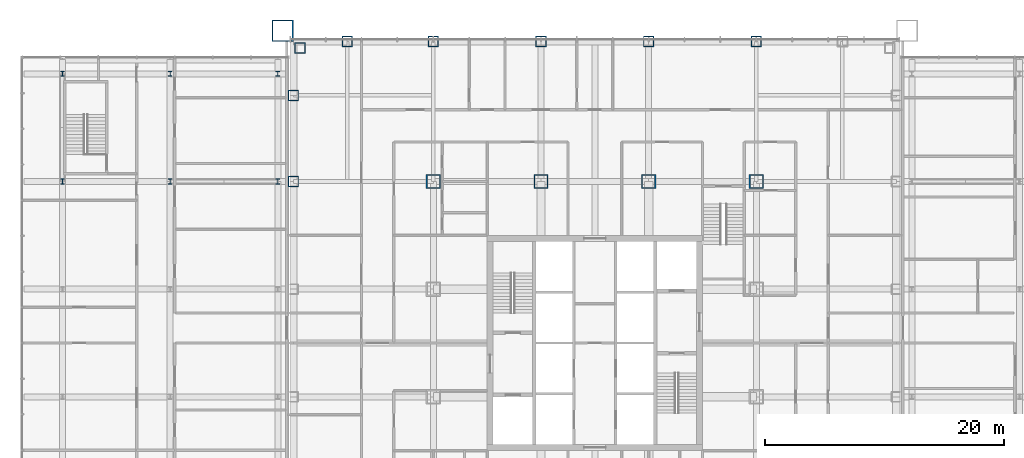
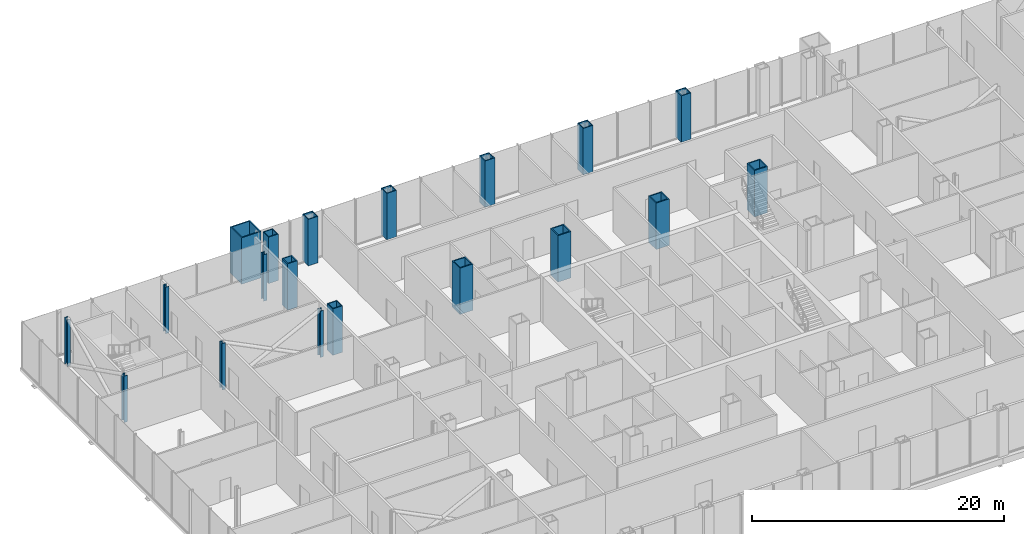
# One storey, part 3 of 25: 19 columns.
"""IFC4 building model written with IfcOpenShell, lengths in metres."""

import ifcopenshell
import ifcopenshell.guid

model = None  # the IFC model being written
_history = None  # IfcOwnerHistory: only IFC2X3 demands one
_inside = {}  # id of a spatial element -> (the spatial element, [elements in it])
_under = {}  # id of a project, library or spatial element -> (it, [spatial elements below it])
_declared = {}  # id of a project -> (the project, [libraries it declares])
_typed = {}  # id of a type object -> (the type object, [elements of that type])
_made_of = {}  # id of a material, layer set ... -> (it, [elements and type objects made of it])


def new_model(schema):
    """Start an empty IFC model of exactly this schema.

    Asked for "IFC4X3", IfcOpenShell would pick the latest addendum, in which some entities
    have other attributes; the version numbers below select the first issue.
    IFC2X3 requires an IfcOwnerHistory on every rooted entity: one is made here for all.
    """
    global model, _history
    if schema == "IFC4X3":
        model = ifcopenshell.file(schema_version=(4, 3, 0, 0))
    else:
        model = ifcopenshell.file(schema=schema)
    _inside.clear()
    _under.clear()
    _declared.clear()
    _typed.clear()
    _made_of.clear()
    _history = None
    if model.schema == "IFC2X3":
        org = make("IfcOrganization", Name="unknown")
        user = make(
            "IfcPersonAndOrganization",
            ThePerson=make("IfcPerson", FamilyName="unknown"),
            TheOrganization=org,
        )
        app = make(
            "IfcApplication",
            ApplicationDeveloper=org,
            Version="unknown",
            ApplicationFullName="unknown",
            ApplicationIdentifier="unknown",
        )
        _history = make(
            "IfcOwnerHistory",
            OwningUser=user,
            OwningApplication=app,
            ChangeAction="ADDED",
            CreationDate=0,
        )
    return model


def make(cls, **values):
    """One entity of the class cls with the attributes given. An attribute that is None is left unset."""
    return model.create_entity(
        cls, **{name: value for name, value in values.items() if value is not None}
    )


def rooted(cls, **values):
    """An entity with a GlobalId (a new one), such as an element, a storey or a relation."""
    return make(cls, GlobalId=ifcopenshell.guid.new(), OwnerHistory=_history, **values)


def si_unit(unit_type, name, prefix=None):
    """IfcSIUnit, for example si_unit("LENGTHUNIT", "METRE", prefix="MILLI")."""
    return make("IfcSIUnit", UnitType=unit_type, Prefix=prefix, Name=name)


def assignment(units):
    """IfcUnitAssignment: the units of a project."""
    return None if units is None else make("IfcUnitAssignment", Units=units)


def point(xyz):
    """IfcCartesianPoint."""
    return None if xyz is None else make("IfcCartesianPoint", Coordinates=xyz)


def direction(xyz):
    """IfcDirection."""
    return None if xyz is None else make("IfcDirection", DirectionRatios=xyz)


def frame(location, z_axis=None, x_axis=None):
    """IfcAxis2Placement3D, a coordinate frame: its origin and axes. An axis left out is left unset."""
    return make(
        "IfcAxis2Placement3D",
        Location=point(location),
        Axis=direction(z_axis),
        RefDirection=direction(x_axis),
    )


def frame_2d(location, x_axis=None):
    """IfcAxis2Placement2D, a coordinate frame in the plane: its origin and x axis."""
    return make(
        "IfcAxis2Placement2D", Location=point(location), RefDirection=direction(x_axis)
    )


def origin():
    """The frame at (0, 0, 0) with its axes left unset."""
    return frame((0.0, 0.0, 0.0))


def origin_2d():
    """The frame at (0, 0) in the plane with its x axis left unset."""
    return frame_2d((0.0, 0.0))


def place(relative_to, where):
    """IfcLocalPlacement: puts the frame where relative to a parent placement (None: the world)."""
    return make(
        "IfcLocalPlacement", PlacementRelTo=relative_to, RelativePlacement=where
    )


def context(
    kind, dimensions, precision=None, world=None, true_north=None, identifier=None
):
    """IfcGeometricRepresentationContext, for example the 3D "Model" context."""
    return make(
        "IfcGeometricRepresentationContext",
        ContextIdentifier=identifier,
        ContextType=kind,
        CoordinateSpaceDimension=dimensions,
        Precision=precision,
        WorldCoordinateSystem=world,
        TrueNorth=true_north,
    )


def subcontext(parent, identifier, kind, view, scale=None):
    """IfcGeometricRepresentationSubContext, for example "Body" below "Model"."""
    return make(
        "IfcGeometricRepresentationSubContext",
        ContextIdentifier=identifier,
        ContextType=kind,
        ParentContext=parent,
        TargetScale=scale,
        TargetView=view,
    )


def project(units=None, contexts=None):
    """IfcProject with its units and contexts."""
    return rooted(
        "IfcProject",
        Name="project",
        RepresentationContexts=contexts,
        UnitsInContext=assignment(units),
    )


def spatial(cls, under=None, at=None, **own):
    """A site, building, storey or space (cls), placed at a placement, below another one or the project."""
    s = rooted(cls, ObjectPlacement=at, **own)
    if under is not None:
        _under.setdefault(under.id(), (under, []))[1].append(s)
    return s


def profile(cls, at=None, kind="AREA", **sizes):
    """A parametric profile (cls). Its sizes go by their IFC names, for example OverallWidth=200.0."""
    return make(cls, ProfileType=kind, Position=at, **sizes)


def hollow_rectangle(**sizes):
    """IfcRectangleHollowProfileDef."""
    return profile("IfcRectangleHollowProfileDef", **sizes)


def i_section(**sizes):
    """IfcIShapeProfileDef."""
    return profile("IfcIShapeProfileDef", **sizes)


def extrude(swept, where, along, depth):
    """IfcExtrudedAreaSolid: the profile swept, set in the frame where, extruded along a direction by depth."""
    return make(
        "IfcExtrudedAreaSolid",
        SweptArea=swept,
        Position=where,
        ExtrudedDirection=direction(along),
        Depth=depth,
    )


def shape(context_of_items, identifier, shape_type, items):
    """IfcShapeRepresentation: the items that make up one representation, for example the "Body"."""
    return make(
        "IfcShapeRepresentation",
        ContextOfItems=context_of_items,
        RepresentationIdentifier=identifier,
        RepresentationType=shape_type,
        Items=items,
    )


def material(Name=None, Category=None):
    """IfcMaterial."""
    return make("IfcMaterial", Name=Name, Category=Category)


def material_profile(
    of_material, cross_section, Name=None, Category=None, Priority=None
):
    """IfcMaterialProfile: a cross section and its material."""
    return make(
        "IfcMaterialProfile",
        Name=Name,
        Material=of_material,
        Profile=cross_section,
        Priority=Priority,
        Category=Category,
    )


def profile_set(profiles, Name=None, composite=None):
    """IfcMaterialProfileSet."""
    return make(
        "IfcMaterialProfileSet",
        Name=Name,
        MaterialProfiles=profiles,
        CompositeProfile=composite,
    )


def made_of(thing, what):
    """Note that an element or type object is made of a material, layer set ...; save() writes the relation."""
    if what is not None:
        _made_of.setdefault(what.id(), (what, []))[1].append(thing)
    return thing


def type_object(cls, material=None, **own):
    """A type object (cls), such as IfcWallType, which elements share."""
    return made_of(rooted(cls, **own), material)


def element(
    cls,
    number,
    at=None,
    inside=None,
    cuts=None,
    type_object=None,
    material=None,
    context=None,
    identifier="Body",
    shape_type=None,
    held_by="IfcProductDefinitionShape",
    body=None,
    shapes=None,
    **own,
):
    """One element of the class cls, such as IfcWall. Its Tag is "e" and its number.

    at: its placement. inside: the storey or other place that contains it. cuts: it is an
    opening in that element (IfcRelVoidsElement). A single representation is given by context,
    identifier, shape_type and body (its items); several are given by shapes. held_by: the class
    of the entity that holds the representations. save() writes the other relations.
    """
    e = rooted(cls, Tag="e%d" % number, ObjectPlacement=at, **own)
    if body is not None:
        shapes = [shape(context, identifier, shape_type, body)]
    if shapes is not None:
        e.Representation = make(held_by, Representations=shapes)
    if inside is not None:
        _inside.setdefault(inside.id(), (inside, []))[1].append(e)
    if cuts is not None:
        rooted(
            "IfcRelVoidsElement", RelatingBuildingElement=cuts, RelatedOpeningElement=e
        )
    if type_object is not None:
        _typed.setdefault(type_object.id(), (type_object, []))[1].append(e)
    return made_of(e, material)


def aggregate(whole, parts):
    """IfcRelAggregates: a whole, such as a stair, and the parts it consists of."""
    return rooted("IfcRelAggregates", RelatingObject=whole, RelatedObjects=parts)


def save(model, path):
    """Write the relations noted so far, then the file.

    IfcRelAggregates (storeys below a building ...), IfcRelContainedInSpatialStructure (elements
    in a storey), IfcRelDefinesByType, IfcRelAssociatesMaterial and IfcRelDeclares: one each for
    every whole, place, type object, material and project.
    """
    for whole, parts in _under.values():
        aggregate(whole, parts)
    for where, things in _inside.values():
        rooted(
            "IfcRelContainedInSpatialStructure",
            RelatedElements=things,
            RelatingStructure=where,
        )
    for kind, things in _typed.values():
        rooted("IfcRelDefinesByType", RelatedObjects=things, RelatingType=kind)
    for what, things in _made_of.values():
        rooted("IfcRelAssociatesMaterial", RelatedObjects=things, RelatingMaterial=what)
    for by, libraries in _declared.values():
        rooted("IfcRelDeclares", RelatingContext=by, RelatedDefinitions=libraries)
    model.write(path)


model = new_model("IFC4")

# Units and contexts
model_context = context("Model", 3, precision=1e-05, world=origin(), true_north=direction((0.0, 1.0)))
body_context = subcontext(model_context, "Body", "Model", "MODEL_VIEW")
ifc_project = project(units=[si_unit("LENGTHUNIT", "METRE"), si_unit("AREAUNIT", "SQUARE_METRE"), si_unit("VOLUMEUNIT", "CUBIC_METRE"), si_unit("PLANEANGLEUNIT", "RADIAN"), si_unit("MASSUNIT", "GRAM", prefix="KILO")], contexts=[model_context])

# Site, building, storey
site_placement = place(None, origin())
site = spatial("IfcSite", under=ifc_project, at=site_placement, CompositionType="ELEMENT")
building_placement = place(site_placement, origin())
building = spatial("IfcBuilding", under=site, at=building_placement, Name="Malebo Sky Hospital", CompositionType="ELEMENT")
storey_placement = place(building_placement, frame((0.0, 0.0, 16.5)))
storey = spatial("IfcBuildingStorey", under=building, at=storey_placement, Name="L03", CompositionType="ELEMENT", Elevation=16.5)

# Columns
ifc_material_1 = material(Name="Steel S460", Category="steel")
ifc_material_profile_1 = material_profile(ifc_material_1, hollow_rectangle(XDim=1.199951171875, YDim=1.199951171875, WallThickness=0.10009765625, at=origin_2d()), Name="BOX 1200x1200x100")
ifc_profile_set_1 = profile_set([ifc_material_profile_1], Name="Steel S460")
column_type_1 = type_object("IfcColumnType", Name="INNER COLUMN BOX 1200x1200x100", PredefinedType="COLUMN", material=ifc_profile_set_1)
for number, where, z_axis, x_axis, name in (
    (1, (73.5, 75.5, 0.0), (0.0, 0.0, 1.0), (1.0, 0.0, 0.0), "Column IC11 L03"),
    (2, (46.5, 75.5, 0.0), (0.0, 0.0, 1.0), (1.0, 0.0, 0.0), "Column IC11 L03"),
    (3, (55.5, 75.5, 0.0), (0.0, 0.0, 1.0), (1.0, 0.0, 0.0), "Column IC11 L03"),
    (4, (64.5, 75.5, 0.0), (0.0, 0.0, 1.0), (1.0, 0.0, 0.0), "Column IC11 L03"),
):
    element("IfcColumn", number, at=place(storey_placement, frame(where, z_axis=z_axis, x_axis=x_axis)), inside=storey, type_object=column_type_1, Name=name, PredefinedType="COLUMN", context=body_context, shape_type="SweptSolid", body=[
        extrude(hollow_rectangle(XDim=1.199951171875, YDim=1.199951171875, WallThickness=0.10009765625, at=origin_2d()), origin(), (0.0, 0.0, 1.0), 4.5),
    ])
ifc_material_profile_2 = material_profile(ifc_material_1, hollow_rectangle(XDim=1.800048828125, YDim=1.800048828125, WallThickness=0.10009765625, at=origin_2d()), Name="BOX 1800x1800x100")
ifc_profile_set_2 = profile_set([ifc_material_profile_2], Name="Steel S460")
column_type_2 = type_object("IfcColumnType", Name="MEGA COLUMN BOX 1800x1800x100", PredefinedType="COLUMN", material=ifc_profile_set_2)
column_placement = place(storey_placement, frame((33.89990234375, 88.10009765625, 0.0), z_axis=(0.0, 0.0, 1.0), x_axis=(1.0, 0.0, 0.0)))
element("IfcColumn", 5, at=column_placement, inside=storey, type_object=column_type_2, Name="Mega column NW L03", PredefinedType="COLUMN", context=body_context, shape_type="SweptSolid", body=[
    extrude(hollow_rectangle(XDim=1.800048828125, YDim=1.800048828125, WallThickness=0.10009765625, at=origin_2d()), origin(), (0.0, 0.0, 1.0), 4.5),
])
ifc_material_profile_3 = material_profile(ifc_material_1, hollow_rectangle(XDim=0.89990234375, YDim=0.89990234375, WallThickness=0.080078125, at=origin_2d()), Name="BOX 900x900x80")
ifc_profile_set_3 = profile_set([ifc_material_profile_3], Name="Steel S460")
column_type_3 = type_object("IfcColumnType", Name="PERIMETER COLUMN BOX 900x900x80", PredefinedType="COLUMN", material=ifc_profile_set_3)
for number, where, z_axis, x_axis, name in (
    (6, (39.300048828125, 87.199951171875, 0.0), (0.0, 0.0, 1.0), (1.0, 0.0, 0.0), "Column PC8 L03"),
    (7, (46.5, 87.199951171875, 0.0), (0.0, 0.0, 1.0), (1.0, 0.0, 0.0), "Column PC8 L03"),
    (8, (55.5, 87.199951171875, 0.0), (0.0, 0.0, 1.0), (1.0, 0.0, 0.0), "Column PC8 L03"),
    (9, (64.5, 87.199951171875, 0.0), (0.0, 0.0, 1.0), (1.0, 0.0, 0.0), "Column PC8 L03"),
    (10, (73.5, 87.199951171875, 0.0), (0.0, 0.0, 1.0), (1.0, 0.0, 0.0), "Column PC8 L03"),
    (11, (34.800048828125, 75.5, 0.0), (0.0, 0.0, 1.0), (1.0, 0.0, 0.0), "Column PC8 L03"),
    (12, (34.800048828125, 82.699951171875, 0.0), (0.0, 0.0, 1.0), (1.0, 0.0, 0.0), "Column PC8 L03"),
    (13, (35.35009765625, 86.64990234375, 0.0), (0.0, 0.0, 1.0), (1.0, 0.0, 0.0), "Column PC8 L03"),
):
    element("IfcColumn", number, at=place(storey_placement, frame(where, z_axis=z_axis, x_axis=x_axis)), inside=storey, type_object=column_type_3, Name=name, PredefinedType="COLUMN", context=body_context, shape_type="SweptSolid", body=[
        extrude(hollow_rectangle(XDim=0.89990234375, YDim=0.89990234375, WallThickness=0.080078125, at=origin_2d()), origin(), (0.0, 0.0, 1.0), 4.5),
    ])
ifc_material_2 = material(Name="Steel S355", Category="steel")
ifc_material_profile_4 = material_profile(ifc_material_2, i_section(OverallWidth=0.306884765625, OverallDepth=0.431884765625, WebThickness=0.02099609375, FlangeThickness=0.0400390625, FilletRadius=0.027099609375, at=origin_2d()), Name="HEM 400")
ifc_profile_set_4 = profile_set([ifc_material_profile_4], Name="Steel S355")
column_type_4 = type_object("IfcColumnType", Name="PODIUM COLUMN HEM 400", PredefinedType="COLUMN", material=ifc_profile_set_4)
for number, where, z_axis, x_axis, name in (
    (14, (15.5, 75.5, 0.0), (0.0, 0.0, 1.0), (1.0, 0.0, 0.0), "Podium column 15.5/75.5 L03"),
    (15, (15.5, 84.5, 0.0), (0.0, 0.0, 1.0), (1.0, 0.0, 0.0), "Podium column 15.5/84.5 L03"),
    (16, (24.5, 75.5, 0.0), (0.0, 0.0, 1.0), (1.0, 0.0, 0.0), "Podium column 24.5/75.5 L03"),
    (17, (24.5, 84.5, 0.0), (0.0, 0.0, 1.0), (1.0, 0.0, 0.0), "Podium column 24.5/84.5 L03"),
    (18, (33.5, 75.5, 0.0), (0.0, 0.0, 1.0), (1.0, 0.0, 0.0), "Podium column 33.5/75.5 L03"),
    (19, (33.5, 84.5, 0.0), (0.0, 0.0, 1.0), (1.0, 0.0, 0.0), "Podium column 33.5/84.5 L03"),
):
    element("IfcColumn", number, at=place(storey_placement, frame(where, z_axis=z_axis, x_axis=x_axis)), inside=storey, type_object=column_type_4, Name=name, PredefinedType="COLUMN", context=body_context, shape_type="SweptSolid", body=[
        extrude(i_section(OverallWidth=0.306884765625, OverallDepth=0.431884765625, WebThickness=0.02099609375, FlangeThickness=0.0400390625, FilletRadius=0.027099609375, at=origin_2d()), origin(), (0.0, 0.0, 1.0), 4.5),
    ])

save(model, "model.ifc")
